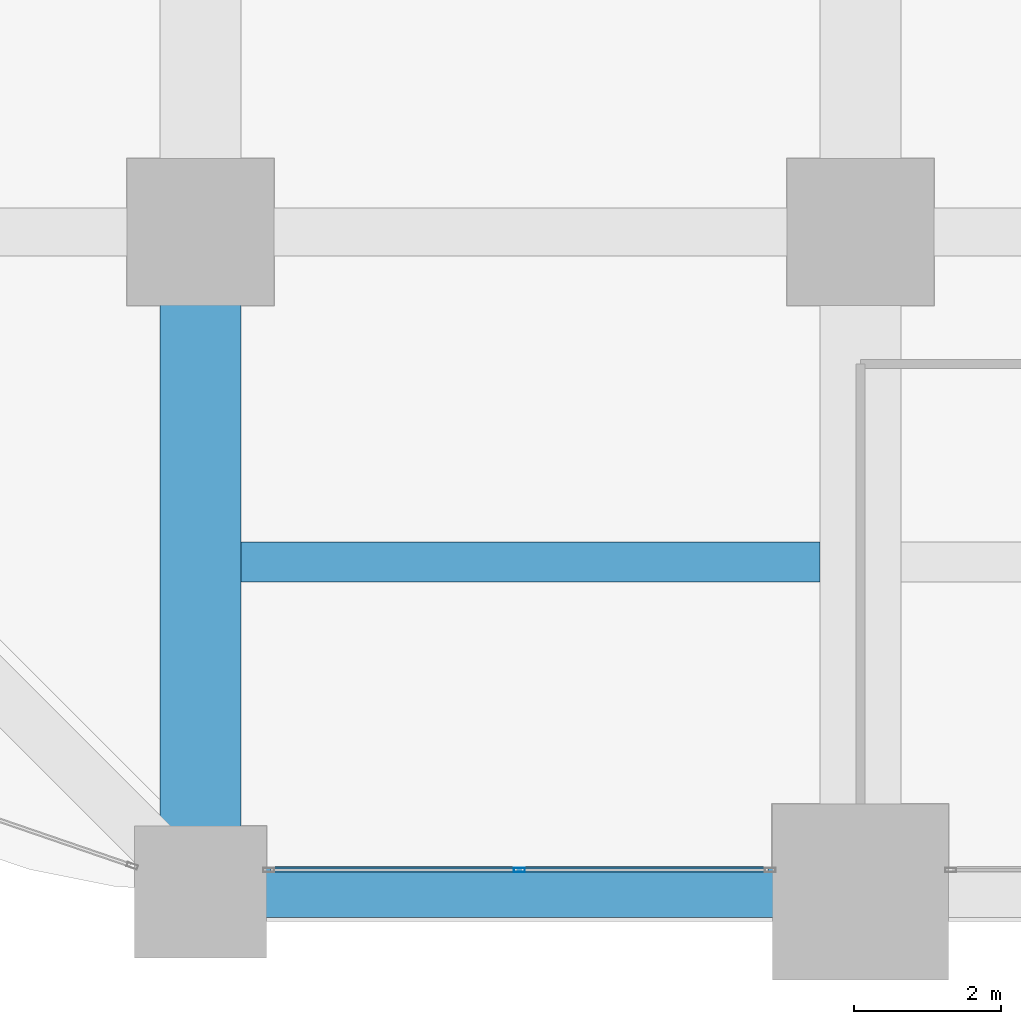
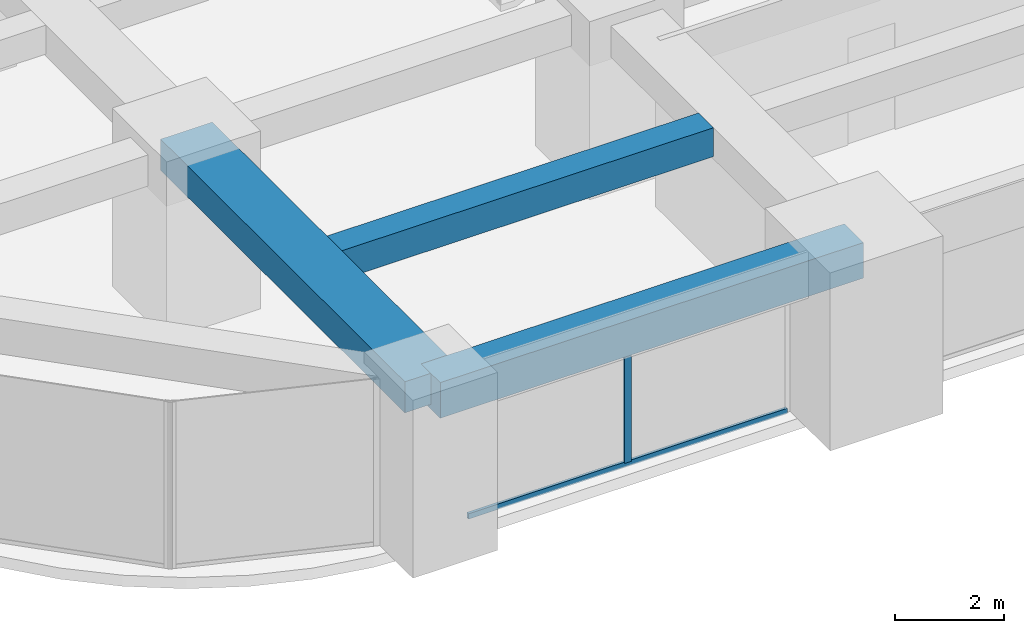
# One storey, part 3 of 39: 3 beams, 2 members, 1 element without a shape of its own.
"""IFC4 building model written with IfcOpenShell, lengths in metres."""

from ifc_helpers import new_model, si_unit, direction, frame, origin, origin_2d, place, context, subcontext, project, spatial, rectangle, hollow_rectangle, extrude, material, material_profile, profile_set, type_object, element, aggregate, save


model = new_model("IFC4")

# Units and contexts
model_context = context("Model", 3, precision=1e-05, world=origin(), true_north=direction((0.0, 1.0)))
body_context = subcontext(model_context, "Body", "Model", "MODEL_VIEW")
ifc_project = project(units=[si_unit("LENGTHUNIT", "METRE"), si_unit("AREAUNIT", "SQUARE_METRE"), si_unit("VOLUMEUNIT", "CUBIC_METRE"), si_unit("PLANEANGLEUNIT", "RADIAN"), si_unit("MASSUNIT", "GRAM", prefix="KILO")], contexts=[model_context])

# Site, building, storey
site_placement = place(None, origin())
site = spatial("IfcSite", under=ifc_project, at=site_placement, CompositionType="ELEMENT")
building_placement = place(site_placement, origin())
building = spatial("IfcBuilding", under=site, at=building_placement, Name="Zorevar Civic Tower", CompositionType="ELEMENT")
storey_placement = place(building_placement, frame((0.0, 0.0, 117.0)))
storey = spatial("IfcBuildingStorey", under=building, at=storey_placement, Name="L28", CompositionType="ELEMENT", Elevation=117.0)

# Beams
ifc_material_1 = material(Name="Concrete C50/60", Category="concrete")
ifc_material_profile_1 = material_profile(ifc_material_1, rectangle(XDim=1.10009765625, YDim=0.699951171875, at=origin_2d()), Name="RC 1100x700")
ifc_profile_set_1 = profile_set([ifc_material_profile_1], Name="Concrete C50/60")
beam_type_1 = type_object("IfcBeamType", Name="Beam RC 1100x700", PredefinedType="BEAM", material=ifc_profile_set_1)
beam_1_placement = place(storey_placement, frame((9.0, 0.0, 3.39990234375), z_axis=(0.0, 1.0, 0.0), x_axis=(-1.0, 0.0, 0.0)))
element("IfcBeam", 1, at=beam_1_placement, inside=storey, type_object=beam_type_1, Name="Girder L29", PredefinedType="BEAM", context=body_context, shape_type="SweptSolid", body=[
    extrude(rectangle(XDim=1.10009765625, YDim=0.699951171875, at=origin_2d()), origin(), (0.0, 0.0, 1.0), 9.0),
])
ifc_material_2 = material(Name="Concrete C50/60", Category="concrete")
ifc_material_profile_2 = material_profile(ifc_material_2, rectangle(XDim=0.550048828125, YDim=0.64990234375, at=origin_2d()), Name="RC 550x650")
ifc_profile_set_2 = profile_set([ifc_material_profile_2], Name="Concrete C50/60")
beam_type_2 = type_object("IfcBeamType", Name="Beam RC 550x650", PredefinedType="BEAM", material=ifc_profile_set_2)
beam_2_placement = place(storey_placement, frame((9.550048828125, 4.5, 3.425048828125), z_axis=(1.0, 0.0, 0.0), x_axis=(0.0, 1.0, 0.0)))
element("IfcBeam", 2, at=beam_2_placement, inside=storey, type_object=beam_type_2, Name="Secondary beam L29", PredefinedType="BEAM", context=body_context, shape_type="SweptSolid", body=[
    extrude(rectangle(XDim=0.550048828125, YDim=0.64990234375, at=origin_2d()), origin(), (0.0, 0.0, 1.0), 7.89990234375),
])

# Curtain wall, members
ifc_material_3 = material(Name="Dark grey solar-control glass in black aluminium frame", Category="aluminium")
curtain_wall_type = type_object("IfcCurtainWallType", Name="Curtain wall CW3 mid zone", PredefinedType="NOTDEFINED", material=ifc_material_3)
curtain_wall_placement = place(storey_placement, origin())
curtain_wall = element("IfcCurtainWall", 3, at=curtain_wall_placement, inside=storey, type_object=curtain_wall_type, Name="CW3 L28", PredefinedType="NOTDEFINED")
ifc_material_4 = material(Name="Aluminium, black anodised", Category="aluminium")
ifc_material_profile_3 = material_profile(ifc_material_4, hollow_rectangle(XDim=0.06005859375, YDim=0.14990234375, WallThickness=0.00390625, at=origin_2d()), Name="AL 150x60x4")
ifc_profile_set_3 = profile_set([ifc_material_profile_3], Name="Aluminium, black anodised")
member_type_1 = type_object("IfcMemberType", Name="CW3 mullion AL 150x60x4", PredefinedType="MULLION", material=ifc_profile_set_3)
member_1_placement = place(storey_placement, frame((13.35009765625, 0.300048828125, 0.06005859375), z_axis=(0.0, 0.0, 1.0), x_axis=(0.0, 1.0, 0.0)))
member_1 = element("IfcMember", 4, at=member_1_placement, type_object=member_type_1, Name="CW3 mullion 2", PredefinedType="MULLION", context=body_context, shape_type="SweptSolid", body=[
    extrude(hollow_rectangle(XDim=0.06005859375, YDim=0.14990234375, WallThickness=0.00390625, at=origin_2d()), origin(), (0.0, 0.0, 1.0), 2.889892578125),
])
ifc_material_5 = material(Name="Aluminium, black anodised", Category="aluminium")
ifc_material_profile_4 = material_profile(ifc_material_5, hollow_rectangle(XDim=0.06005859375, YDim=0.1201171875, WallThickness=0.0029296875, at=origin_2d()), Name="AL 120x60x3")
ifc_profile_set_4 = profile_set([ifc_material_profile_4], Name="Aluminium, black anodised")
member_type_2 = type_object("IfcMemberType", Name="CW3 transom AL 120x60x3", PredefinedType="USERDEFINED", material=ifc_profile_set_4)
member_2_placement = place(storey_placement, frame((9.9599609375, 0.300048828125, 0.030029296875), z_axis=(1.0, 0.0, 0.0), x_axis=(0.0, 1.0, 0.0)))
member_2 = element("IfcMember", 5, at=member_2_placement, type_object=member_type_2, Name="CW3 sill transom", ObjectType="TRANSOM", PredefinedType="USERDEFINED", context=body_context, shape_type="SweptSolid", body=[
    extrude(hollow_rectangle(XDim=0.06005859375, YDim=0.1201171875, WallThickness=0.0029296875, at=origin_2d()), origin(), (0.0, 0.0, 1.0), 6.780029296875),
])
aggregate(curtain_wall, [member_1, member_2])

# Beam
ifc_material_6 = material(Name="Concrete C50/60", Category="concrete")
ifc_material_profile_5 = material_profile(ifc_material_6, rectangle(XDim=0.699951171875, YDim=0.800048828125, at=origin_2d()), Name="RC 700x800")
ifc_profile_set_5 = profile_set([ifc_material_profile_5], Name="Concrete C50/60")
beam_type_3 = type_object("IfcBeamType", Name="Edge beam RC 700x800", PredefinedType="SPANDREL", material=ifc_profile_set_5)
beam_3_placement = place(storey_placement, frame((9.0, 0.0, 3.35009765625), z_axis=(1.0, 0.0, 0.0), x_axis=(0.0, 1.0, 0.0)))
element("IfcBeam", 6, at=beam_3_placement, inside=storey, type_object=beam_type_3, Name="Edge beam L29", PredefinedType="SPANDREL", context=body_context, shape_type="SweptSolid", body=[
    extrude(rectangle(XDim=0.699951171875, YDim=0.800048828125, at=origin_2d()), origin(), (0.0, 0.0, 1.0), 9.0),
])

save(model, "model.ifc")
